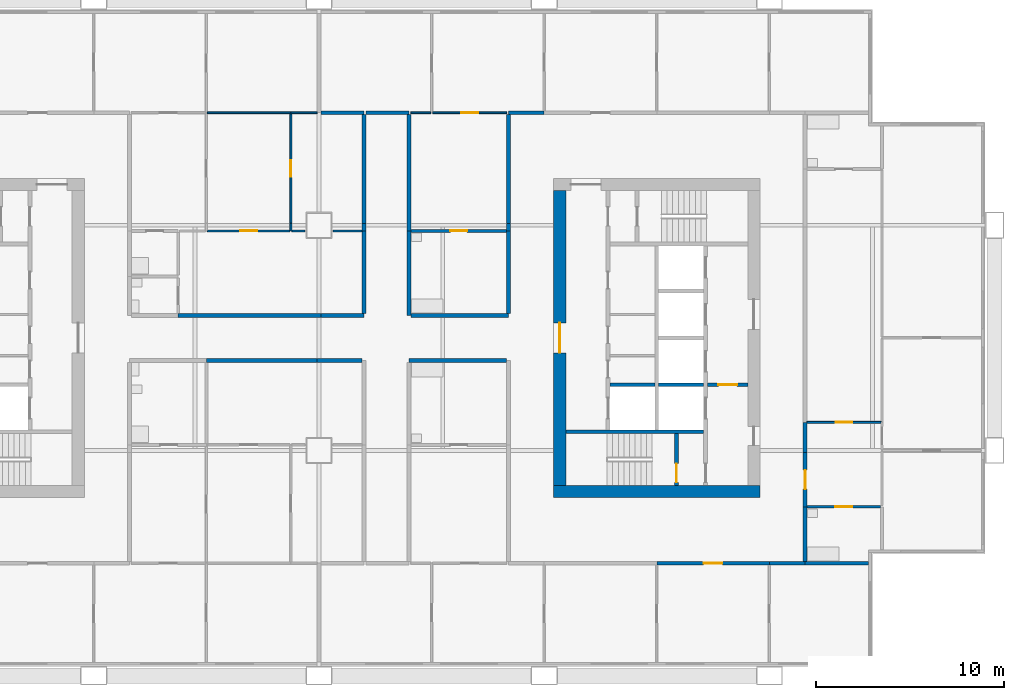
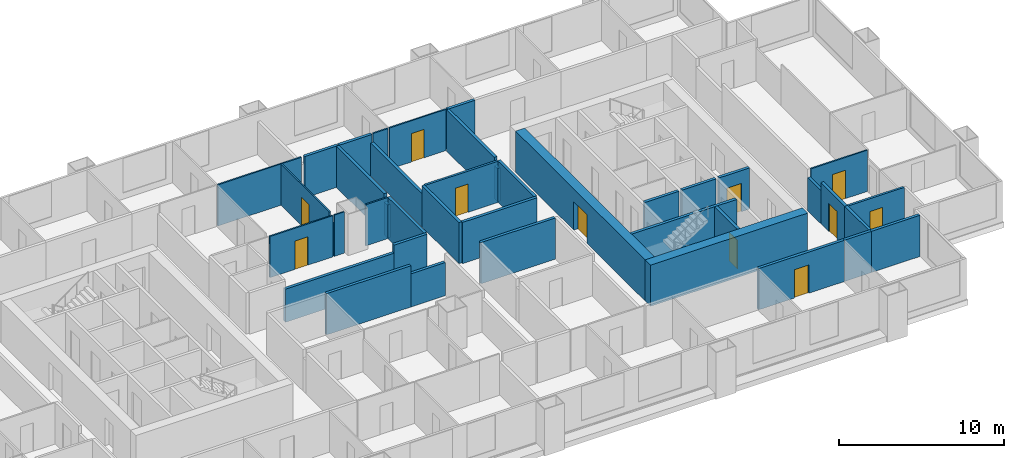
# One storey, part 6 of 11: 42 walls, 11 doors, 11 openings.
"""IFC4 building model written with IfcOpenShell, lengths in metres."""

from ifc_helpers import new_model, si_unit, direction, frame, frame_2d, origin, place, context, subcontext, project, spatial, rectangle, extrude, material, layer, layer_set, type_object, element, fill, save


model = new_model("IFC4")

# Units and contexts
model_context = context("Model", 3, precision=1e-05, world=origin(), true_north=direction((0.0, 1.0)))
body_context = subcontext(model_context, "Body", "Model", "MODEL_VIEW")
ifc_project = project(units=[si_unit("LENGTHUNIT", "METRE"), si_unit("AREAUNIT", "SQUARE_METRE"), si_unit("VOLUMEUNIT", "CUBIC_METRE"), si_unit("PLANEANGLEUNIT", "RADIAN"), si_unit("MASSUNIT", "GRAM", prefix="KILO")], contexts=[model_context])

# Site, building, storey
site_placement = place(None, origin())
site = spatial("IfcSite", under=ifc_project, at=site_placement, CompositionType="ELEMENT")
building_placement = place(site_placement, origin())
building = spatial("IfcBuilding", under=site, at=building_placement, Name="Kitamizu Gate Tower and Museum", CompositionType="ELEMENT")
storey_placement = place(building_placement, frame((0.0, 0.0, 127.64990234375)))
storey = spatial("IfcBuildingStorey", under=building, at=storey_placement, Name="L33", CompositionType="ELEMENT", Elevation=127.64990234375)

# Wall
ifc_material_1 = material(Name="Concrete Fc60", Category="concrete")
ifc_layer_1 = layer(ifc_material_1, 0.64990234375)
ifc_layer_set_1 = layer_set([ifc_layer_1], Name="Concrete Fc60")
wall_type_1 = type_object("IfcWallType", Name="Core wall 650", PredefinedType="SHEAR", material=ifc_layer_set_1)
wall_1_placement = place(storey_placement, frame((59.5, 21.824951171875, 0.0), z_axis=(0.0, 0.0, 1.0), x_axis=(-1.0, 0.0, 0.0)))
element("IfcWall", 1, at=wall_1_placement, inside=storey, type_object=wall_type_1, Name="Core wall ES", PredefinedType="SHEAR", context=body_context, shape_type="SweptSolid", body=[
    extrude(rectangle(XDim=11.0, YDim=0.64990234375, at=frame_2d((5.5, 0.0))), origin(), (0.0, 0.0, 1.0), 3.050048828125),
])

# Wall, opening, door
wall_2_placement = place(storey_placement, frame((48.824951171875, 22.14990234375, 0.0), z_axis=(0.0, 0.0, 1.0), x_axis=(0.0, 1.0, 0.0)))
wall_2 = element("IfcWall", 2, at=wall_2_placement, inside=storey, type_object=wall_type_1, Name="Core wall EARC", PredefinedType="SHEAR", context=body_context, shape_type="SweptSolid", body=[
    extrude(rectangle(XDim=15.7001953125, YDim=0.64990234375, at=frame_2d((7.85009765625, 0.0))), origin(), (0.0, 0.0, 1.0), 3.050048828125),
])
opening_1_placement = place(wall_2_placement, frame((7.050048828125, 0.0, 0.0)))
opening_1 = element("IfcOpeningElement", 3, at=opening_1_placement, cuts=wall_2, Name="Opening L33-072", PredefinedType="OPENING", context=body_context, shape_type="SweptSolid", body=[
    extrude(rectangle(XDim=1.60009765625, YDim=2.10009765625, at=frame_2d((0.800048828125, 1.050048828125))), frame((0.0, 0.3349609375, 0.0), z_axis=(0.0, -1.0, 0.0), x_axis=(1.0, 0.0, 0.0)), (0.0, 0.0, 1.0), 0.669921875),
])
ifc_material_2 = material(Name="Timber door set", Category="wood")
door_type_1 = type_object("IfcDoorType", Name="Entrance door 1600", OperationType="DOUBLE_DOOR_SINGLE_SWING", PredefinedType="DOOR", material=ifc_material_2)
door_1_placement = place(opening_1_placement, origin())
door_1 = element("IfcDoor", 4, at=door_1_placement, inside=storey, type_object=door_type_1, Name="Lobby door L33-072", OperationType="DOUBLE_DOOR_SINGLE_SWING", OverallHeight=2.10009765625, OverallWidth=1.60009765625, PredefinedType="DOOR", context=body_context, shape_type="SweptSolid", body=[
    extrude(rectangle(XDim=1.60009765625, YDim=2.10009765625, at=frame_2d((0.800048828125, 1.050048828125))), frame((0.0, 0.02490234375, 0.0), z_axis=(0.0, -1.0, 0.0), x_axis=(1.0, 0.0, 0.0)), (0.0, 0.0, 1.0), 0.050048828125),
])
fill(opening_1, door_1)

# Walls
ifc_material_3 = material(Name="Gypsum board on galvanised stud")
ifc_layer_2 = layer(ifc_material_3, 0.10009765625)
ifc_layer_set_2 = layer_set([ifc_layer_2], Name="Gypsum board on galvanised stud")
wall_type_2 = type_object("IfcWallType", Name="Partition 100 NOT RATED", PredefinedType="PARTITIONING", material=ifc_layer_set_2)
wall_3_placement = place(storey_placement, frame((30.050048828125, 42.0, 0.0), z_axis=(0.0, 0.0, 1.0), x_axis=(1.0, 0.0, 0.0)))
element("IfcWall", 5, at=wall_3_placement, inside=storey, type_object=wall_type_2, Name="Partition L33-060", PredefinedType="PARTITIONING", context=body_context, shape_type="SweptSolid", body=[
    extrude(rectangle(XDim=4.449951171875, YDim=0.10009765625, at=frame_2d((2.22509765625, 0.0))), origin(), (0.0, 0.0, 1.0), 3.050048828125),
])
wall_4_placement = place(storey_placement, frame((34.5, 42.0, 0.0), z_axis=(0.0, 0.0, 1.0), x_axis=(1.0, 0.0, 0.0)))
element("IfcWall", 6, at=wall_4_placement, inside=storey, type_object=wall_type_2, Name="Partition L33-061", PredefinedType="PARTITIONING", context=body_context, shape_type="SweptSolid", body=[
    extrude(rectangle(XDim=1.39990234375, YDim=0.10009765625, at=frame_2d((0.699951171875, 0.0))), origin(), (0.0, 0.0, 1.0), 3.050048828125),
])
wall_5_placement = place(storey_placement, frame((34.5, 35.699951171875, 0.0), z_axis=(0.0, 0.0, 1.0), x_axis=(0.0, 1.0, 0.0)))
element("IfcWall", 7, at=wall_5_placement, inside=storey, type_object=wall_type_2, Name="Partition L33-068", PredefinedType="PARTITIONING", context=body_context, shape_type="SweptSolid", body=[
    extrude(rectangle(XDim=0.400146484375, YDim=0.10009765625, at=frame_2d((0.2001953125, 0.0))), origin(), (0.0, 0.0, 1.0), 2.4501953125),
])

# Wall, opening, door
wall_6_placement = place(storey_placement, frame((34.5, 36.10009765625, 0.0), z_axis=(0.0, 0.0, 1.0), x_axis=(0.0, 1.0, 0.0)))
wall_6 = element("IfcWall", 8, at=wall_6_placement, inside=storey, type_object=wall_type_2, Name="Partition L33-069", PredefinedType="PARTITIONING", context=body_context, shape_type="SweptSolid", body=[
    extrude(rectangle(XDim=5.849853515625, YDim=0.10009765625, at=frame_2d((2.9248046875, 0.0))), origin(), (0.0, 0.0, 1.0), 3.050048828125),
])
opening_2_placement = place(wall_6_placement, frame((2.47509765625, 0.0, 0.0)))
opening_2 = element("IfcOpeningElement", 9, at=opening_2_placement, cuts=wall_6, Name="Opening L33-025", PredefinedType="OPENING", context=body_context, shape_type="SweptSolid", body=[
    extrude(rectangle(XDim=0.89990234375, YDim=2.10009765625, at=frame_2d((0.449951171875, 1.050048828125))), frame((0.0, 0.06005859375, 0.0), z_axis=(0.0, -1.0, 0.0), x_axis=(1.0, 0.0, 0.0)), (0.0, 0.0, 1.0), 0.1201171875),
])
ifc_material_4 = material(Name="Timber door set", Category="wood")
door_type_2 = type_object("IfcDoorType", Name="Room door 900", OperationType="NOTDEFINED", PredefinedType="DOOR", material=ifc_material_4)
door_2_placement = place(opening_2_placement, frame((0.89990234375, 0.0, 0.0), x_axis=(-1.0, 0.0, 0.0)))
door_2 = element("IfcDoor", 10, at=door_2_placement, inside=storey, type_object=door_type_2, Name="Door L33-025", OperationType="SINGLE_SWING_LEFT", OverallHeight=2.10009765625, OverallWidth=0.89990234375, PredefinedType="DOOR", context=body_context, shape_type="SweptSolid", body=[
    extrude(rectangle(XDim=0.89990234375, YDim=2.10009765625, at=frame_2d((0.449951171875, 1.050048828125))), frame((0.0, 0.02490234375, 0.0), z_axis=(0.0, -1.0, 0.0), x_axis=(1.0, 0.0, 0.0)), (0.0, 0.0, 1.0), 0.050048828125),
])
fill(opening_2, door_2)

wall_7_placement = place(storey_placement, frame((30.050048828125, 35.699951171875, 0.0), z_axis=(0.0, 0.0, 1.0), x_axis=(1.0, 0.0, 0.0)))
wall_7 = element("IfcWall", 11, at=wall_7_placement, inside=storey, type_object=wall_type_2, Name="Partition L33-070", PredefinedType="PARTITIONING", context=body_context, shape_type="SweptSolid", body=[
    extrude(rectangle(XDim=4.39990234375, YDim=0.10009765625, at=frame_2d((2.199951171875, 0.0))), origin(), (0.0, 0.0, 1.0), 3.050048828125),
])
opening_3_placement = place(wall_7_placement, frame((1.75, 0.0, 0.0)))
opening_3 = element("IfcOpeningElement", 12, at=opening_3_placement, cuts=wall_7, Name="Opening L33-027", PredefinedType="OPENING", context=body_context, shape_type="SweptSolid", body=[
    extrude(rectangle(XDim=0.89990234375, YDim=2.10009765625, at=frame_2d((0.449951171875, 1.050048828125))), frame((0.0, 0.06005859375, 0.0), z_axis=(0.0, -1.0, 0.0), x_axis=(1.0, 0.0, 0.0)), (0.0, 0.0, 1.0), 0.1201171875),
])
door_3_placement = place(opening_3_placement, origin())
door_3 = element("IfcDoor", 13, at=door_3_placement, inside=storey, type_object=door_type_2, Name="Door L33-027", OperationType="SINGLE_SWING_RIGHT", OverallHeight=2.10009765625, OverallWidth=0.89990234375, PredefinedType="DOOR", context=body_context, shape_type="SweptSolid", body=[
    extrude(rectangle(XDim=0.89990234375, YDim=2.10009765625, at=frame_2d((0.449951171875, 1.050048828125))), frame((0.0, 0.02490234375, 0.0), z_axis=(0.0, -1.0, 0.0), x_axis=(1.0, 0.0, 0.0)), (0.0, 0.0, 1.0), 0.050048828125),
])
fill(opening_3, door_3)

# Walls
wall_8_placement = place(storey_placement, frame((34.550048828125, 35.699951171875, 0.0), z_axis=(0.0, 0.0, 1.0), x_axis=(1.0, 0.0, 0.0)))
element("IfcWall", 14, at=wall_8_placement, inside=storey, type_object=wall_type_2, Name="Partition L33-071", PredefinedType="PARTITIONING", context=body_context, shape_type="SweptSolid", body=[
    extrude(rectangle(XDim=0.699951171875, YDim=0.10009765625, at=frame_2d((0.35009765625, 0.0))), origin(), (0.0, 0.0, 1.0), 3.050048828125),
])
wall_9_placement = place(storey_placement, frame((36.75, 35.699951171875, 0.0), z_axis=(0.0, 0.0, 1.0), x_axis=(1.0, 0.0, 0.0)))
element("IfcWall", 15, at=wall_9_placement, inside=storey, type_object=wall_type_2, Name="Partition L33-072", PredefinedType="PARTITIONING", context=body_context, shape_type="SweptSolid", body=[
    extrude(rectangle(XDim=1.550048828125, YDim=0.10009765625, at=frame_2d((0.77490234375, 0.0))), origin(), (0.0, 0.0, 1.0), 3.050048828125),
])
wall_10_placement = place(storey_placement, frame((40.89990234375, 42.0, 0.0), z_axis=(0.0, 0.0, 1.0), x_axis=(1.0, 0.0, 0.0)))
element("IfcWall", 16, at=wall_10_placement, inside=storey, type_object=wall_type_2, Name="Partition L33-107", PredefinedType="PARTITIONING", context=body_context, shape_type="SweptSolid", body=[
    extrude(rectangle(XDim=1.050048828125, YDim=0.10009765625, at=frame_2d((0.52490234375, 0.0))), origin(), (0.0, 0.0, 1.0), 3.050048828125),
])

# Wall, opening, door
wall_11_placement = place(storey_placement, frame((42.050048828125, 42.0, 0.0), z_axis=(0.0, 0.0, 1.0), x_axis=(1.0, 0.0, 0.0)))
wall_11 = element("IfcWall", 17, at=wall_11_placement, inside=storey, type_object=wall_type_2, Name="Partition L33-110", PredefinedType="PARTITIONING", context=body_context, shape_type="SweptSolid", body=[
    extrude(rectangle(XDim=3.949951171875, YDim=0.10009765625, at=frame_2d((1.97509765625, 0.0))), origin(), (0.0, 0.0, 1.0), 3.050048828125),
])
opening_4_placement = place(wall_11_placement, frame((1.52490234375, 0.0, 0.0)))
opening_4 = element("IfcOpeningElement", 18, at=opening_4_placement, cuts=wall_11, Name="Opening L33-043", PredefinedType="OPENING", context=body_context, shape_type="SweptSolid", body=[
    extrude(rectangle(XDim=0.89990234375, YDim=2.10009765625, at=frame_2d((0.449951171875, 1.050048828125))), frame((0.0, 0.06005859375, 0.0), z_axis=(0.0, -1.0, 0.0), x_axis=(1.0, 0.0, 0.0)), (0.0, 0.0, 1.0), 0.1201171875),
])
door_4_placement = place(opening_4_placement, origin())
door_4 = element("IfcDoor", 19, at=door_4_placement, inside=storey, type_object=door_type_2, Name="Door L33-043", OperationType="SINGLE_SWING_LEFT", OverallHeight=2.10009765625, OverallWidth=0.89990234375, PredefinedType="DOOR", context=body_context, shape_type="SweptSolid", body=[
    extrude(rectangle(XDim=0.89990234375, YDim=2.10009765625, at=frame_2d((0.449951171875, 1.050048828125))), frame((0.0, 0.02490234375, 0.0), z_axis=(0.0, -1.0, 0.0), x_axis=(1.0, 0.0, 0.0)), (0.0, 0.0, 1.0), 0.050048828125),
])
fill(opening_4, door_4)

wall_12_placement = place(storey_placement, frame((65.949951171875, 25.5, 0.0), z_axis=(0.0, 0.0, 1.0), x_axis=(-1.0, 0.0, 0.0)))
wall_12 = element("IfcWall", 20, at=wall_12_placement, inside=storey, type_object=wall_type_2, Name="Partition L33-136", PredefinedType="PARTITIONING", context=body_context, shape_type="SweptSolid", body=[
    extrude(rectangle(XDim=3.949951171875, YDim=0.10009765625, at=frame_2d((1.97509765625, 0.0))), origin(), (0.0, 0.0, 1.0), 3.050048828125),
])
opening_5_placement = place(wall_12_placement, frame((1.52490234375, 0.0, 0.0)))
opening_5 = element("IfcOpeningElement", 21, at=opening_5_placement, cuts=wall_12, Name="Opening L33-047", PredefinedType="OPENING", context=body_context, shape_type="SweptSolid", body=[
    extrude(rectangle(XDim=0.89990234375, YDim=2.10009765625, at=frame_2d((0.449951171875, 1.050048828125))), frame((0.0, 0.06005859375, 0.0), z_axis=(0.0, -1.0, 0.0), x_axis=(1.0, 0.0, 0.0)), (0.0, 0.0, 1.0), 0.1201171875),
])
door_5_placement = place(opening_5_placement, origin())
door_5 = element("IfcDoor", 22, at=door_5_placement, inside=storey, type_object=door_type_2, Name="Door L33-047", OperationType="SINGLE_SWING_LEFT", OverallHeight=2.10009765625, OverallWidth=0.89990234375, PredefinedType="DOOR", context=body_context, shape_type="SweptSolid", body=[
    extrude(rectangle(XDim=0.89990234375, YDim=2.10009765625, at=frame_2d((0.449951171875, 1.050048828125))), frame((0.0, 0.02490234375, 0.0), z_axis=(0.0, -1.0, 0.0), x_axis=(1.0, 0.0, 0.0)), (0.0, 0.0, 1.0), 0.050048828125),
])
fill(opening_5, door_5)

ifc_material_5 = material(Name="Gypsum board on galvanised stud")
ifc_layer_3 = layer(ifc_material_5, 0.14990234375)
ifc_layer_set_3 = layer_set([ifc_layer_3], Name="Gypsum board on galvanised stud")
wall_type_3 = type_object("IfcWallType", Name="Partition 150", PredefinedType="PARTITIONING", material=ifc_layer_set_3)
wall_13_placement = place(storey_placement, frame((40.89990234375, 35.699951171875, 0.0), z_axis=(0.0, 0.0, 1.0), x_axis=(1.0, 0.0, 0.0)))
wall_13 = element("IfcWall", 23, at=wall_13_placement, inside=storey, type_object=wall_type_3, Name="Partition L33-118", PredefinedType="PARTITIONING", context=body_context, shape_type="SweptSolid", body=[
    extrude(rectangle(XDim=5.10009765625, YDim=0.14990234375, at=frame_2d((2.550048828125, 0.0))), origin(), (0.0, 0.0, 1.0), 3.050048828125),
])
opening_6_placement = place(wall_13_placement, frame((2.10009765625, 0.0, 0.0)))
opening_6 = element("IfcOpeningElement", 24, at=opening_6_placement, cuts=wall_13, Name="Opening L33-044", PredefinedType="OPENING", context=body_context, shape_type="SweptSolid", body=[
    extrude(rectangle(XDim=0.89990234375, YDim=2.10009765625, at=frame_2d((0.449951171875, 1.050048828125))), frame((0.0, 0.0849609375, 0.0), z_axis=(0.0, -1.0, 0.0), x_axis=(1.0, 0.0, 0.0)), (0.0, 0.0, 1.0), 0.169921875),
])
ifc_material_6 = material(Name="Timber door set", Category="wood")
door_type_3 = type_object("IfcDoorType", Name="Bathroom door 900", OperationType="NOTDEFINED", PredefinedType="DOOR", material=ifc_material_6)
door_6_placement = place(opening_6_placement, frame((0.89990234375, 0.0, 0.0), x_axis=(-1.0, 0.0, 0.0)))
door_6 = element("IfcDoor", 25, at=door_6_placement, inside=storey, type_object=door_type_3, Name="Bathroom door L33-044", OperationType="SINGLE_SWING_LEFT", OverallHeight=2.10009765625, OverallWidth=0.89990234375, PredefinedType="DOOR", context=body_context, shape_type="SweptSolid", body=[
    extrude(rectangle(XDim=0.89990234375, YDim=2.10009765625, at=frame_2d((0.449951171875, 1.050048828125))), frame((0.0, 0.02490234375, 0.0), z_axis=(0.0, -1.0, 0.0), x_axis=(1.0, 0.0, 0.0)), (0.0, 0.0, 1.0), 0.050048828125),
])
fill(opening_6, door_6)

wall_14_placement = place(storey_placement, frame((65.925048828125, 21.0, 0.0), z_axis=(0.0, 0.0, 1.0), x_axis=(-1.0, 0.0, 0.0)))
wall_14 = element("IfcWall", 26, at=wall_14_placement, inside=storey, type_object=wall_type_3, Name="Partition L33-134", PredefinedType="PARTITIONING", context=body_context, shape_type="SweptSolid", body=[
    extrude(rectangle(XDim=3.925048828125, YDim=0.14990234375, at=frame_2d((1.96240234375, 0.0))), origin(), (0.0, 0.0, 1.0), 3.050048828125),
])
opening_7_placement = place(wall_14_placement, frame((1.512451171875, 0.0, 0.0)))
opening_7 = element("IfcOpeningElement", 27, at=opening_7_placement, cuts=wall_14, Name="Opening L33-050", PredefinedType="OPENING", context=body_context, shape_type="SweptSolid", body=[
    extrude(rectangle(XDim=0.89990234375, YDim=2.10009765625, at=frame_2d((0.449951171875, 1.050048828125))), frame((0.0, 0.0849609375, 0.0), z_axis=(0.0, -1.0, 0.0), x_axis=(1.0, 0.0, 0.0)), (0.0, 0.0, 1.0), 0.169921875),
])
door_7_placement = place(opening_7_placement, origin())
door_7 = element("IfcDoor", 28, at=door_7_placement, inside=storey, type_object=door_type_3, Name="Bathroom door L33-050", OperationType="SINGLE_SWING_RIGHT", OverallHeight=2.10009765625, OverallWidth=0.89990234375, PredefinedType="DOOR", context=body_context, shape_type="SweptSolid", body=[
    extrude(rectangle(XDim=0.89990234375, YDim=2.10009765625, at=frame_2d((0.449951171875, 1.050048828125))), frame((0.0, 0.02490234375, 0.0), z_axis=(0.0, -1.0, 0.0), x_axis=(1.0, 0.0, 0.0)), (0.0, 0.0, 1.0), 0.050048828125),
])
fill(opening_7, door_7)

# Walls
ifc_material_7 = material(Name="Gypsum board on galvanised stud")
ifc_layer_4 = layer(ifc_material_7, 0.199951171875)
ifc_layer_set_4 = layer_set([ifc_layer_4], Name="Gypsum board on galvanised stud")
wall_type_4 = type_object("IfcWallType", Name="Partition 200", PredefinedType="PARTITIONING", material=ifc_layer_set_4)
wall_15_placement = place(storey_placement, frame((38.300048828125, 28.800048828125, 0.0), z_axis=(0.0, 0.0, 1.0), x_axis=(-1.0, 0.0, 0.0)))
element("IfcWall", 29, at=wall_15_placement, inside=storey, type_object=wall_type_4, Name="Partition L33-028", PredefinedType="PARTITIONING", context=body_context, shape_type="SweptSolid", body=[
    extrude(rectangle(XDim=2.400146484375, YDim=0.199951171875, at=frame_2d((1.2001953125, 0.0))), origin(), (0.0, 0.0, 1.0), 2.4501953125),
])
wall_16_placement = place(storey_placement, frame((35.89990234375, 28.800048828125, 0.0), z_axis=(0.0, 0.0, 1.0), x_axis=(-1.0, 0.0, 0.0)))
element("IfcWall", 30, at=wall_16_placement, inside=storey, type_object=wall_type_4, Name="Partition L33-029", PredefinedType="PARTITIONING", context=body_context, shape_type="SweptSolid", body=[
    extrude(rectangle(XDim=5.89990234375, YDim=0.199951171875, at=frame_2d((2.949951171875, 0.0))), origin(), (0.0, 0.0, 1.0), 3.050048828125),
])

# Wall, opening, door
wall_17_placement = place(storey_placement, frame((60.0, 18.0, 0.0), z_axis=(0.0, 0.0, 1.0), x_axis=(-1.0, 0.0, 0.0)))
wall_17 = element("IfcWall", 31, at=wall_17_placement, inside=storey, type_object=wall_type_4, Name="Partition L33-039", PredefinedType="PARTITIONING", context=body_context, shape_type="SweptSolid", body=[
    extrude(rectangle(XDim=6.0, YDim=0.199951171875, at=frame_2d((3.0, 0.0))), origin(), (0.0, 0.0, 1.0), 3.050048828125),
])
opening_8_placement = place(wall_17_placement, frame((2.5, 0.0, 0.0)))
opening_8 = element("IfcOpeningElement", 32, at=opening_8_placement, cuts=wall_17, Name="Opening L33-011", PredefinedType="OPENING", context=body_context, shape_type="SweptSolid", body=[
    extrude(rectangle(XDim=1.0, YDim=2.10009765625, at=frame_2d((0.5, 1.050048828125))), frame((0.0, 0.10986328125, 0.0), z_axis=(0.0, -1.0, 0.0), x_axis=(1.0, 0.0, 0.0)), (0.0, 0.0, 1.0), 0.219970703125),
])
ifc_material_8 = material(Name="Timber door set", Category="wood")
door_type_4 = type_object("IfcDoorType", Name="Flat entrance door 1000", OperationType="NOTDEFINED", PredefinedType="DOOR", material=ifc_material_8)
door_8_placement = place(opening_8_placement, origin())
door_8 = element("IfcDoor", 33, at=door_8_placement, inside=storey, type_object=door_type_4, Name="Flat entrance door L33-011", OperationType="SINGLE_SWING_RIGHT", OverallHeight=2.10009765625, OverallWidth=1.0, PredefinedType="DOOR", context=body_context, shape_type="SweptSolid", body=[
    extrude(rectangle(XDim=1.0, YDim=2.10009765625, at=frame_2d((0.5, 1.050048828125))), frame((0.0, 0.02490234375, 0.0), z_axis=(0.0, -1.0, 0.0), x_axis=(1.0, 0.0, 0.0)), (0.0, 0.0, 1.0), 0.050048828125),
])
fill(opening_8, door_8)

# Walls
wall_18_placement = place(storey_placement, frame((65.280029296875, 18.0, 0.0), z_axis=(0.0, 0.0, 1.0), x_axis=(-1.0, 0.0, 0.0)))
element("IfcWall", 34, at=wall_18_placement, inside=storey, type_object=wall_type_4, Name="Partition L33-040", PredefinedType="PARTITIONING", context=body_context, shape_type="SweptSolid", body=[
    extrude(rectangle(XDim=3.380126953125, YDim=0.199951171875, at=frame_2d((1.68994140625, 0.0))), origin(), (0.0, 0.0, 1.0), 3.050048828125),
])
wall_19_placement = place(storey_placement, frame((61.89990234375, 18.0, 0.0), z_axis=(0.0, 0.0, 1.0), x_axis=(-1.0, 0.0, 0.0)))
element("IfcWall", 35, at=wall_19_placement, inside=storey, type_object=wall_type_4, Name="Partition L33-041", PredefinedType="PARTITIONING", context=body_context, shape_type="SweptSolid", body=[
    extrude(rectangle(XDim=1.89990234375, YDim=0.199951171875, at=frame_2d((0.949951171875, 0.0))), origin(), (0.0, 0.0, 1.0), 3.050048828125),
])
wall_20_placement = place(storey_placement, frame((46.0, 28.800048828125, 0.0), z_axis=(0.0, 0.0, 1.0), x_axis=(-1.0, 0.0, 0.0)))
element("IfcWall", 36, at=wall_20_placement, inside=storey, type_object=wall_type_4, Name="Partition L33-047", PredefinedType="PARTITIONING", context=body_context, shape_type="SweptSolid", body=[
    extrude(rectangle(XDim=5.199951171875, YDim=0.199951171875, at=frame_2d((2.60009765625, 0.0))), origin(), (0.0, 0.0, 1.0), 3.050048828125),
])
wall_21_placement = place(storey_placement, frame((38.39990234375, 42.0, 0.0), z_axis=(0.0, 0.0, 1.0), x_axis=(-1.0, 0.0, 0.0)))
element("IfcWall", 37, at=wall_21_placement, inside=storey, type_object=wall_type_4, Name="Partition L33-073", PredefinedType="PARTITIONING", context=body_context, shape_type="SweptSolid", body=[
    extrude(rectangle(XDim=2.2998046875, YDim=0.199951171875, at=frame_2d((1.14990234375, 0.0))), origin(), (0.0, 0.0, 1.0), 3.050048828125),
])
wall_22_placement = place(storey_placement, frame((38.39990234375, 35.699951171875, 0.0), z_axis=(0.0, 0.0, 1.0), x_axis=(0.0, 1.0, 0.0)))
element("IfcWall", 38, at=wall_22_placement, inside=storey, type_object=wall_type_4, Name="Partition L33-074", PredefinedType="PARTITIONING", context=body_context, shape_type="SweptSolid", body=[
    extrude(rectangle(XDim=0.400146484375, YDim=0.199951171875, at=frame_2d((0.2001953125, 0.0))), origin(), (0.0, 0.0, 1.0), 2.4501953125),
])
wall_23_placement = place(storey_placement, frame((38.39990234375, 36.10009765625, 0.0), z_axis=(0.0, 0.0, 1.0), x_axis=(0.0, 1.0, 0.0)))
element("IfcWall", 39, at=wall_23_placement, inside=storey, type_object=wall_type_4, Name="Partition L33-075", PredefinedType="PARTITIONING", context=body_context, shape_type="SweptSolid", body=[
    extrude(rectangle(XDim=5.7998046875, YDim=0.199951171875, at=frame_2d((2.89990234375, 0.0))), origin(), (0.0, 0.0, 1.0), 3.050048828125),
])
wall_24_placement = place(storey_placement, frame((28.5, 31.199951171875, 0.0), z_axis=(0.0, 0.0, 1.0), x_axis=(1.0, 0.0, 0.0)))
element("IfcWall", 40, at=wall_24_placement, inside=storey, type_object=wall_type_4, Name="Partition L33-082", PredefinedType="PARTITIONING", context=body_context, shape_type="SweptSolid", body=[
    extrude(rectangle(XDim=7.60009765625, YDim=0.199951171875, at=frame_2d((3.800048828125, 0.0))), origin(), (0.0, 0.0, 1.0), 2.4501953125),
])
wall_25_placement = place(storey_placement, frame((36.10009765625, 31.199951171875, 0.0), z_axis=(0.0, 0.0, 1.0), x_axis=(1.0, 0.0, 0.0)))
element("IfcWall", 41, at=wall_25_placement, inside=storey, type_object=wall_type_4, Name="Partition L33-083", PredefinedType="PARTITIONING", context=body_context, shape_type="SweptSolid", body=[
    extrude(rectangle(XDim=2.2998046875, YDim=0.199951171875, at=frame_2d((1.14990234375, 0.0))), origin(), (0.0, 0.0, 1.0), 3.050048828125),
])
wall_26_placement = place(storey_placement, frame((38.39990234375, 31.300048828125, 0.0), z_axis=(0.0, 0.0, 1.0), x_axis=(0.0, 1.0, 0.0)))
element("IfcWall", 42, at=wall_26_placement, inside=storey, type_object=wall_type_4, Name="Partition L33-084", PredefinedType="PARTITIONING", context=body_context, shape_type="SweptSolid", body=[
    extrude(rectangle(XDim=4.39990234375, YDim=0.199951171875, at=frame_2d((2.199951171875, 0.0))), origin(), (0.0, 0.0, 1.0), 3.050048828125),
])
wall_27_placement = place(storey_placement, frame((38.5, 42.0, 0.0), z_axis=(0.0, 0.0, 1.0), x_axis=(1.0, 0.0, 0.0)))
element("IfcWall", 43, at=wall_27_placement, inside=storey, type_object=wall_type_4, Name="Partition L33-108", PredefinedType="PARTITIONING", context=body_context, shape_type="SweptSolid", body=[
    extrude(rectangle(XDim=2.300048828125, YDim=0.199951171875, at=frame_2d((1.14990234375, 0.0))), origin(), (0.0, 0.0, 1.0), 3.050048828125),
])
wall_28_placement = place(storey_placement, frame((46.10009765625, 42.0, 0.0), z_axis=(0.0, 0.0, 1.0), x_axis=(1.0, 0.0, 0.0)))
element("IfcWall", 44, at=wall_28_placement, inside=storey, type_object=wall_type_4, Name="Partition L33-111", PredefinedType="PARTITIONING", context=body_context, shape_type="SweptSolid", body=[
    extrude(rectangle(XDim=1.89990234375, YDim=0.199951171875, at=frame_2d((0.949951171875, 0.0))), origin(), (0.0, 0.0, 1.0), 3.050048828125),
])
wall_29_placement = place(storey_placement, frame((40.800048828125, 41.89990234375, 0.0), z_axis=(0.0, 0.0, 1.0), x_axis=(0.0, -1.0, 0.0)))
element("IfcWall", 45, at=wall_29_placement, inside=storey, type_object=wall_type_4, Name="Partition L33-119", PredefinedType="PARTITIONING", context=body_context, shape_type="SweptSolid", body=[
    extrude(rectangle(XDim=6.199951171875, YDim=0.199951171875, at=frame_2d((3.10009765625, 0.0))), origin(), (0.0, 0.0, 1.0), 2.4501953125),
])
wall_30_placement = place(storey_placement, frame((46.10009765625, 35.699951171875, 0.0), z_axis=(0.0, 0.0, 1.0), x_axis=(0.0, 1.0, 0.0)))
element("IfcWall", 46, at=wall_30_placement, inside=storey, type_object=wall_type_4, Name="Partition L33-120", PredefinedType="PARTITIONING", context=body_context, shape_type="SweptSolid", body=[
    extrude(rectangle(XDim=0.400146484375, YDim=0.199951171875, at=frame_2d((0.2001953125, 0.0))), origin(), (0.0, 0.0, 1.0), 2.4501953125),
])
wall_31_placement = place(storey_placement, frame((46.10009765625, 36.10009765625, 0.0), z_axis=(0.0, 0.0, 1.0), x_axis=(0.0, 1.0, 0.0)))
element("IfcWall", 47, at=wall_31_placement, inside=storey, type_object=wall_type_4, Name="Partition L33-121", PredefinedType="PARTITIONING", context=body_context, shape_type="SweptSolid", body=[
    extrude(rectangle(XDim=5.7998046875, YDim=0.199951171875, at=frame_2d((2.89990234375, 0.0))), origin(), (0.0, 0.0, 1.0), 3.050048828125),
])
wall_32_placement = place(storey_placement, frame((40.800048828125, 35.699951171875, 0.0), z_axis=(0.0, 0.0, 1.0), x_axis=(0.0, -1.0, 0.0)))
element("IfcWall", 48, at=wall_32_placement, inside=storey, type_object=wall_type_4, Name="Partition L33-122", PredefinedType="PARTITIONING", context=body_context, shape_type="SweptSolid", body=[
    extrude(rectangle(XDim=4.5, YDim=0.199951171875, at=frame_2d((2.25, 0.0))), origin(), (0.0, 0.0, 1.0), 3.050048828125),
])
wall_33_placement = place(storey_placement, frame((40.89990234375, 31.199951171875, 0.0), z_axis=(0.0, 0.0, 1.0), x_axis=(1.0, 0.0, 0.0)))
element("IfcWall", 49, at=wall_33_placement, inside=storey, type_object=wall_type_4, Name="Partition L33-123", PredefinedType="PARTITIONING", context=body_context, shape_type="SweptSolid", body=[
    extrude(rectangle(XDim=5.2001953125, YDim=0.199951171875, at=frame_2d((2.60009765625, 0.0))), origin(), (0.0, 0.0, 1.0), 3.050048828125),
])
wall_34_placement = place(storey_placement, frame((46.10009765625, 31.300048828125, 0.0), z_axis=(0.0, 0.0, 1.0), x_axis=(0.0, 1.0, 0.0)))
element("IfcWall", 50, at=wall_34_placement, inside=storey, type_object=wall_type_4, Name="Partition L33-124", PredefinedType="PARTITIONING", context=body_context, shape_type="SweptSolid", body=[
    extrude(rectangle(XDim=4.39990234375, YDim=0.199951171875, at=frame_2d((2.199951171875, 0.0))), origin(), (0.0, 0.0, 1.0), 3.050048828125),
])
wall_35_placement = place(storey_placement, frame((61.89990234375, 21.0, 0.0), z_axis=(0.0, 0.0, 1.0), x_axis=(0.0, -1.0, 0.0)))
element("IfcWall", 51, at=wall_35_placement, inside=storey, type_object=wall_type_4, Name="Partition L33-135", PredefinedType="PARTITIONING", context=body_context, shape_type="SweptSolid", body=[
    extrude(rectangle(XDim=2.89990234375, YDim=0.199951171875, at=frame_2d((1.449951171875, 0.0))), origin(), (0.0, 0.0, 1.0), 3.050048828125),
])
wall_36_placement = place(storey_placement, frame((61.89990234375, 25.5, 0.0), z_axis=(0.0, 0.0, 1.0), x_axis=(0.0, -1.0, 0.0)))
element("IfcWall", 52, at=wall_36_placement, inside=storey, type_object=wall_type_4, Name="Partition L33-137", PredefinedType="PARTITIONING", context=body_context, shape_type="SweptSolid", body=[
    extrude(rectangle(XDim=1.60009765625, YDim=0.199951171875, at=frame_2d((0.800048828125, 0.0))), origin(), (0.0, 0.0, 1.0), 2.4501953125),
])

# Wall, opening, door
wall_37_placement = place(storey_placement, frame((61.89990234375, 23.89990234375, 0.0), z_axis=(0.0, 0.0, 1.0), x_axis=(0.0, -1.0, 0.0)))
wall_37 = element("IfcWall", 53, at=wall_37_placement, inside=storey, type_object=wall_type_4, Name="Partition L33-138", PredefinedType="PARTITIONING", context=body_context, shape_type="SweptSolid", body=[
    extrude(rectangle(XDim=2.89990234375, YDim=0.199951171875, at=frame_2d((1.449951171875, 0.0))), origin(), (0.0, 0.0, 1.0), 3.050048828125),
])
opening_9_placement = place(wall_37_placement, frame((0.949951171875, 0.0, 0.0)))
opening_9 = element("IfcOpeningElement", 54, at=opening_9_placement, cuts=wall_37, Name="Opening L33-045", PredefinedType="OPENING", context=body_context, shape_type="SweptSolid", body=[
    extrude(rectangle(XDim=1.0, YDim=2.10009765625, at=frame_2d((0.5, 1.050048828125))), frame((0.0, 0.10986328125, 0.0), z_axis=(0.0, -1.0, 0.0), x_axis=(1.0, 0.0, 0.0)), (0.0, 0.0, 1.0), 0.219970703125),
])
door_9_placement = place(opening_9_placement, origin())
door_9 = element("IfcDoor", 55, at=door_9_placement, inside=storey, type_object=door_type_4, Name="Flat entrance door L33-045", OperationType="SINGLE_SWING_LEFT", OverallHeight=2.10009765625, OverallWidth=1.0, PredefinedType="DOOR", context=body_context, shape_type="SweptSolid", body=[
    extrude(rectangle(XDim=1.0, YDim=2.10009765625, at=frame_2d((0.5, 1.050048828125))), frame((0.0, 0.02490234375, 0.0), z_axis=(0.0, -1.0, 0.0), x_axis=(1.0, 0.0, 0.0)), (0.0, 0.0, 1.0), 0.050048828125),
])
fill(opening_9, door_9)

# Wall
ifc_material_9 = material(Name="Concrete Fc42", Category="concrete")
ifc_layer_5 = layer(ifc_material_9, 0.199951171875)
ifc_layer_set_5 = layer_set([ifc_layer_5], Name="Concrete Fc42")
wall_type_5 = type_object("IfcWallType", Name="Shaft wall 200", PredefinedType="SOLIDWALL", material=ifc_layer_set_5)
wall_38_placement = place(storey_placement, frame((56.5, 25.0, 0.0), z_axis=(0.0, 0.0, 1.0), x_axis=(-1.0, 0.0, 0.0)))
element("IfcWall", 56, at=wall_38_placement, inside=storey, type_object=wall_type_5, Name="Shaft wall ESB", PredefinedType="SOLIDWALL", context=body_context, shape_type="SweptSolid", body=[
    extrude(rectangle(XDim=7.35009765625, YDim=0.199951171875, at=frame_2d((3.675048828125, 0.0))), origin(), (0.0, 0.0, 1.0), 3.050048828125),
])

# Wall, opening, door
wall_39_placement = place(storey_placement, frame((58.85009765625, 27.5, 0.0), z_axis=(0.0, 0.0, 1.0), x_axis=(-1.0, 0.0, 0.0)))
wall_39 = element("IfcWall", 57, at=wall_39_placement, inside=storey, type_object=wall_type_5, Name="Shaft wall EFFN", PredefinedType="SOLIDWALL", context=body_context, shape_type="SweptSolid", body=[
    extrude(rectangle(XDim=2.150146484375, YDim=0.199951171875, at=frame_2d((1.0751953125, 0.0))), origin(), (0.0, 0.0, 1.0), 3.050048828125),
])
opening_10_placement = place(wall_39_placement, frame((0.574951171875, 0.0, 0.0)))
opening_10 = element("IfcOpeningElement", 58, at=opening_10_placement, cuts=wall_39, Name="Opening L33-068", PredefinedType="OPENING", context=body_context, shape_type="SweptSolid", body=[
    extrude(rectangle(XDim=1.0, YDim=2.10009765625, at=frame_2d((0.5, 1.050048828125))), frame((0.0, 0.10986328125, 0.0), z_axis=(0.0, -1.0, 0.0), x_axis=(1.0, 0.0, 0.0)), (0.0, 0.0, 1.0), 0.219970703125),
])
ifc_material_10 = material(Name="Hollow metal door set")
door_type_5 = type_object("IfcDoorType", Name="Fire door 1000", OperationType="NOTDEFINED", PredefinedType="DOOR", material=ifc_material_10)
door_10_placement = place(opening_10_placement, origin())
door_10 = element("IfcDoor", 59, at=door_10_placement, inside=storey, type_object=door_type_5, Name="Fire-fighting lobby door L33-068", OperationType="SINGLE_SWING_LEFT", OverallHeight=2.10009765625, OverallWidth=1.0, PredefinedType="DOOR", context=body_context, shape_type="SweptSolid", body=[
    extrude(rectangle(XDim=1.0, YDim=2.10009765625, at=frame_2d((0.5, 1.050048828125))), frame((0.0, 0.02490234375, 0.0), z_axis=(0.0, -1.0, 0.0), x_axis=(1.0, 0.0, 0.0)), (0.0, 0.0, 1.0), 0.050048828125),
])
fill(opening_10, door_10)

wall_40_placement = place(storey_placement, frame((55.050048828125, 22.14990234375, 0.0), z_axis=(0.0, 0.0, 1.0), x_axis=(0.0, 1.0, 0.0)))
wall_40 = element("IfcWall", 60, at=wall_40_placement, inside=storey, type_object=wall_type_5, Name="Shaft wall ESZ", PredefinedType="SOLIDWALL", context=body_context, shape_type="SweptSolid", body=[
    extrude(rectangle(XDim=2.75, YDim=0.199951171875, at=frame_2d((1.375, 0.0))), origin(), (0.0, 0.0, 1.0), 3.050048828125),
])
opening_11_placement = place(wall_40_placement, frame((0.14990234375, 0.0, 0.0)))
opening_11 = element("IfcOpeningElement", 61, at=opening_11_placement, cuts=wall_40, Name="Opening L33-064", PredefinedType="OPENING", context=body_context, shape_type="SweptSolid", body=[
    extrude(rectangle(XDim=1.0, YDim=2.10009765625, at=frame_2d((0.5, 1.050048828125))), frame((0.0, 0.10986328125, 0.0), z_axis=(0.0, -1.0, 0.0), x_axis=(1.0, 0.0, 0.0)), (0.0, 0.0, 1.0), 0.219970703125),
])
door_11_placement = place(opening_11_placement, origin())
door_11 = element("IfcDoor", 62, at=door_11_placement, inside=storey, type_object=door_type_5, Name="Stair door L33-064", OperationType="SINGLE_SWING_RIGHT", OverallHeight=2.10009765625, OverallWidth=1.0, PredefinedType="DOOR", context=body_context, shape_type="SweptSolid", body=[
    extrude(rectangle(XDim=1.0, YDim=2.10009765625, at=frame_2d((0.5, 1.050048828125))), frame((0.0, 0.02490234375, 0.0), z_axis=(0.0, -1.0, 0.0), x_axis=(1.0, 0.0, 0.0)), (0.0, 0.0, 1.0), 0.050048828125),
])
fill(opening_11, door_11)

# Walls
for number, where, z_axis, x_axis, name in (
    (63, (56.5, 27.5, 0.0), (0.0, 0.0, 1.0), (-1.0, 0.0, 0.0), "Shaft wall EDVW0"),
    (64, (53.89990234375, 27.5, 0.0), (0.0, 0.0, 1.0), (-1.0, 0.0, 0.0), "Shaft wall EDVE0"),
):
    element("IfcWall", number, at=place(storey_placement, frame(where, z_axis=z_axis, x_axis=x_axis)), inside=storey, type_object=wall_type_5, Name=name, PredefinedType="SOLIDWALL", context=body_context, shape_type="SweptSolid", body=[
        extrude(rectangle(XDim=2.39990234375, YDim=0.199951171875, at=frame_2d((1.199951171875, 0.0))), origin(), (0.0, 0.0, 1.0), 3.050048828125),
    ])

save(model, "model.ifc")
